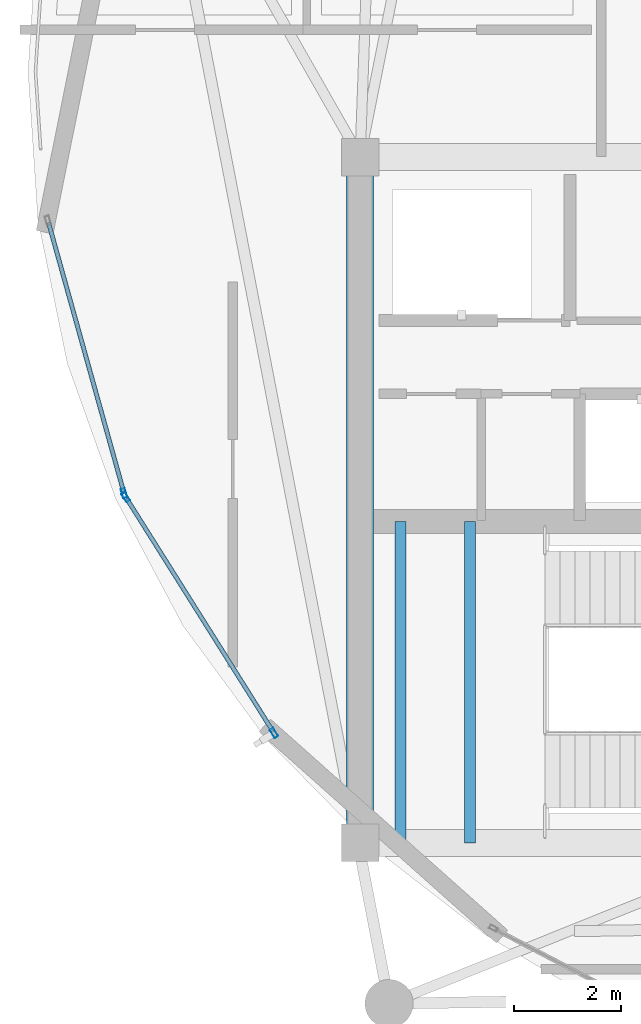
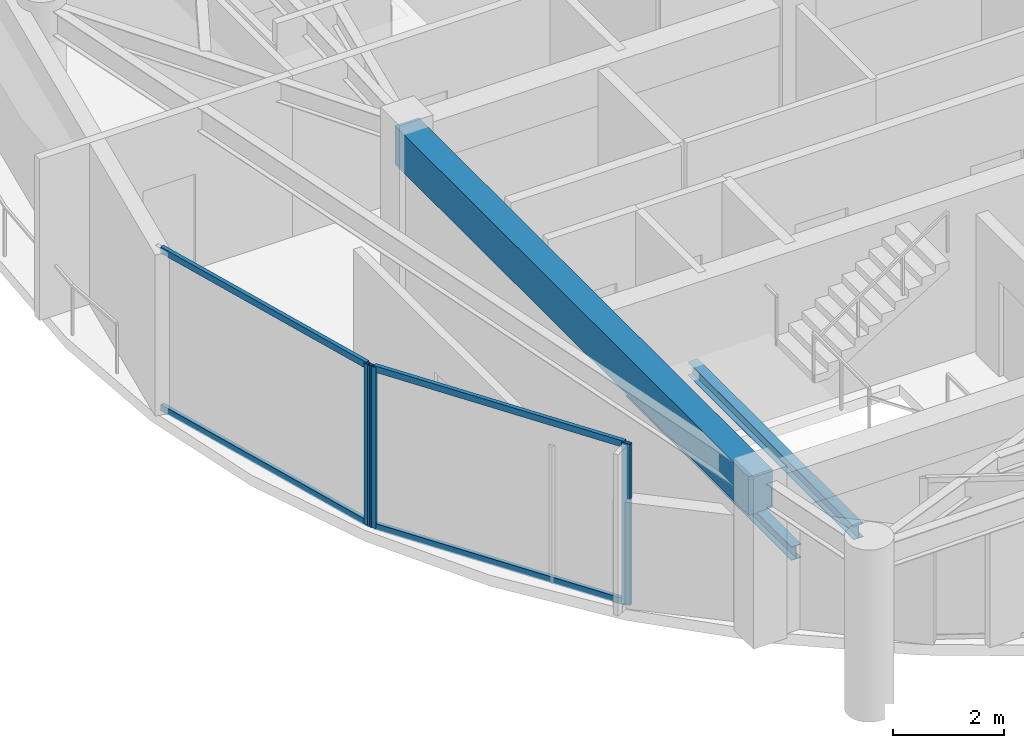
# One storey, part 3 of 29: 7 members, 3 beams, 2 elements without a shape of their own.
"""IFC4 building model written with IfcOpenShell, lengths in metres."""

import ifcopenshell
import ifcopenshell.guid

model = None  # the IFC model being written
_history = None  # IfcOwnerHistory: only IFC2X3 demands one
_inside = {}  # id of a spatial element -> (the spatial element, [elements in it])
_under = {}  # id of a project, library or spatial element -> (it, [spatial elements below it])
_declared = {}  # id of a project -> (the project, [libraries it declares])
_typed = {}  # id of a type object -> (the type object, [elements of that type])
_made_of = {}  # id of a material, layer set ... -> (it, [elements and type objects made of it])


def new_model(schema):
    """Start an empty IFC model of exactly this schema.

    Asked for "IFC4X3", IfcOpenShell would pick the latest addendum, in which some entities
    have other attributes; the version numbers below select the first issue.
    IFC2X3 requires an IfcOwnerHistory on every rooted entity: one is made here for all.
    """
    global model, _history
    if schema == "IFC4X3":
        model = ifcopenshell.file(schema_version=(4, 3, 0, 0))
    else:
        model = ifcopenshell.file(schema=schema)
    _inside.clear()
    _under.clear()
    _declared.clear()
    _typed.clear()
    _made_of.clear()
    _history = None
    if model.schema == "IFC2X3":
        org = make("IfcOrganization", Name="unknown")
        user = make(
            "IfcPersonAndOrganization",
            ThePerson=make("IfcPerson", FamilyName="unknown"),
            TheOrganization=org,
        )
        app = make(
            "IfcApplication",
            ApplicationDeveloper=org,
            Version="unknown",
            ApplicationFullName="unknown",
            ApplicationIdentifier="unknown",
        )
        _history = make(
            "IfcOwnerHistory",
            OwningUser=user,
            OwningApplication=app,
            ChangeAction="ADDED",
            CreationDate=0,
        )
    return model


def make(cls, **values):
    """One entity of the class cls with the attributes given. An attribute that is None is left unset."""
    return model.create_entity(
        cls, **{name: value for name, value in values.items() if value is not None}
    )


def rooted(cls, **values):
    """An entity with a GlobalId (a new one), such as an element, a storey or a relation."""
    return make(cls, GlobalId=ifcopenshell.guid.new(), OwnerHistory=_history, **values)


def si_unit(unit_type, name, prefix=None):
    """IfcSIUnit, for example si_unit("LENGTHUNIT", "METRE", prefix="MILLI")."""
    return make("IfcSIUnit", UnitType=unit_type, Prefix=prefix, Name=name)


def assignment(units):
    """IfcUnitAssignment: the units of a project."""
    return None if units is None else make("IfcUnitAssignment", Units=units)


def point(xyz):
    """IfcCartesianPoint."""
    return None if xyz is None else make("IfcCartesianPoint", Coordinates=xyz)


def direction(xyz):
    """IfcDirection."""
    return None if xyz is None else make("IfcDirection", DirectionRatios=xyz)


def frame(location, z_axis=None, x_axis=None):
    """IfcAxis2Placement3D, a coordinate frame: its origin and axes. An axis left out is left unset."""
    return make(
        "IfcAxis2Placement3D",
        Location=point(location),
        Axis=direction(z_axis),
        RefDirection=direction(x_axis),
    )


def frame_2d(location, x_axis=None):
    """IfcAxis2Placement2D, a coordinate frame in the plane: its origin and x axis."""
    return make(
        "IfcAxis2Placement2D", Location=point(location), RefDirection=direction(x_axis)
    )


def origin():
    """The frame at (0, 0, 0) with its axes left unset."""
    return frame((0.0, 0.0, 0.0))


def origin_2d():
    """The frame at (0, 0) in the plane with its x axis left unset."""
    return frame_2d((0.0, 0.0))


def place(relative_to, where):
    """IfcLocalPlacement: puts the frame where relative to a parent placement (None: the world)."""
    return make(
        "IfcLocalPlacement", PlacementRelTo=relative_to, RelativePlacement=where
    )


def context(
    kind, dimensions, precision=None, world=None, true_north=None, identifier=None
):
    """IfcGeometricRepresentationContext, for example the 3D "Model" context."""
    return make(
        "IfcGeometricRepresentationContext",
        ContextIdentifier=identifier,
        ContextType=kind,
        CoordinateSpaceDimension=dimensions,
        Precision=precision,
        WorldCoordinateSystem=world,
        TrueNorth=true_north,
    )


def subcontext(parent, identifier, kind, view, scale=None):
    """IfcGeometricRepresentationSubContext, for example "Body" below "Model"."""
    return make(
        "IfcGeometricRepresentationSubContext",
        ContextIdentifier=identifier,
        ContextType=kind,
        ParentContext=parent,
        TargetScale=scale,
        TargetView=view,
    )


def project(units=None, contexts=None):
    """IfcProject with its units and contexts."""
    return rooted(
        "IfcProject",
        Name="project",
        RepresentationContexts=contexts,
        UnitsInContext=assignment(units),
    )


def spatial(cls, under=None, at=None, **own):
    """A site, building, storey or space (cls), placed at a placement, below another one or the project."""
    s = rooted(cls, ObjectPlacement=at, **own)
    if under is not None:
        _under.setdefault(under.id(), (under, []))[1].append(s)
    return s


def profile(cls, at=None, kind="AREA", **sizes):
    """A parametric profile (cls). Its sizes go by their IFC names, for example OverallWidth=200.0."""
    return make(cls, ProfileType=kind, Position=at, **sizes)


def rectangle(**sizes):
    """IfcRectangleProfileDef."""
    return profile("IfcRectangleProfileDef", **sizes)


def hollow_rectangle(**sizes):
    """IfcRectangleHollowProfileDef."""
    return profile("IfcRectangleHollowProfileDef", **sizes)


def i_section(**sizes):
    """IfcIShapeProfileDef."""
    return profile("IfcIShapeProfileDef", **sizes)


def extrude(swept, where, along, depth):
    """IfcExtrudedAreaSolid: the profile swept, set in the frame where, extruded along a direction by depth."""
    return make(
        "IfcExtrudedAreaSolid",
        SweptArea=swept,
        Position=where,
        ExtrudedDirection=direction(along),
        Depth=depth,
    )


def shape(context_of_items, identifier, shape_type, items):
    """IfcShapeRepresentation: the items that make up one representation, for example the "Body"."""
    return make(
        "IfcShapeRepresentation",
        ContextOfItems=context_of_items,
        RepresentationIdentifier=identifier,
        RepresentationType=shape_type,
        Items=items,
    )


def material(Name=None, Category=None):
    """IfcMaterial."""
    return make("IfcMaterial", Name=Name, Category=Category)


def layer(
    of_material, thickness, ventilated=None, Name=None, Category=None, Priority=None
):
    """IfcMaterialLayer: one layer of a wall or slab, of a material (None: an air gap)."""
    return make(
        "IfcMaterialLayer",
        Material=of_material,
        LayerThickness=thickness,
        IsVentilated=ventilated,
        Name=Name,
        Category=Category,
        Priority=Priority,
    )


def layer_set(layers, Name=None):
    """IfcMaterialLayerSet."""
    return make("IfcMaterialLayerSet", MaterialLayers=layers, LayerSetName=Name)


def material_profile(
    of_material, cross_section, Name=None, Category=None, Priority=None
):
    """IfcMaterialProfile: a cross section and its material."""
    return make(
        "IfcMaterialProfile",
        Name=Name,
        Material=of_material,
        Profile=cross_section,
        Priority=Priority,
        Category=Category,
    )


def profile_set(profiles, Name=None, composite=None):
    """IfcMaterialProfileSet."""
    return make(
        "IfcMaterialProfileSet",
        Name=Name,
        MaterialProfiles=profiles,
        CompositeProfile=composite,
    )


def made_of(thing, what):
    """Note that an element or type object is made of a material, layer set ...; save() writes the relation."""
    if what is not None:
        _made_of.setdefault(what.id(), (what, []))[1].append(thing)
    return thing


def type_object(cls, material=None, **own):
    """A type object (cls), such as IfcWallType, which elements share."""
    return made_of(rooted(cls, **own), material)


def element(
    cls,
    number,
    at=None,
    inside=None,
    cuts=None,
    type_object=None,
    material=None,
    context=None,
    identifier="Body",
    shape_type=None,
    held_by="IfcProductDefinitionShape",
    body=None,
    shapes=None,
    **own,
):
    """One element of the class cls, such as IfcWall. Its Tag is "e" and its number.

    at: its placement. inside: the storey or other place that contains it. cuts: it is an
    opening in that element (IfcRelVoidsElement). A single representation is given by context,
    identifier, shape_type and body (its items); several are given by shapes. held_by: the class
    of the entity that holds the representations. save() writes the other relations.
    """
    e = rooted(cls, Tag="e%d" % number, ObjectPlacement=at, **own)
    if body is not None:
        shapes = [shape(context, identifier, shape_type, body)]
    if shapes is not None:
        e.Representation = make(held_by, Representations=shapes)
    if inside is not None:
        _inside.setdefault(inside.id(), (inside, []))[1].append(e)
    if cuts is not None:
        rooted(
            "IfcRelVoidsElement", RelatingBuildingElement=cuts, RelatedOpeningElement=e
        )
    if type_object is not None:
        _typed.setdefault(type_object.id(), (type_object, []))[1].append(e)
    return made_of(e, material)


def aggregate(whole, parts):
    """IfcRelAggregates: a whole, such as a stair, and the parts it consists of."""
    return rooted("IfcRelAggregates", RelatingObject=whole, RelatedObjects=parts)


def save(model, path):
    """Write the relations noted so far, then the file.

    IfcRelAggregates (storeys below a building ...), IfcRelContainedInSpatialStructure (elements
    in a storey), IfcRelDefinesByType, IfcRelAssociatesMaterial and IfcRelDeclares: one each for
    every whole, place, type object, material and project.
    """
    for whole, parts in _under.values():
        aggregate(whole, parts)
    for where, things in _inside.values():
        rooted(
            "IfcRelContainedInSpatialStructure",
            RelatedElements=things,
            RelatingStructure=where,
        )
    for kind, things in _typed.values():
        rooted("IfcRelDefinesByType", RelatedObjects=things, RelatingType=kind)
    for what, things in _made_of.values():
        rooted("IfcRelAssociatesMaterial", RelatedObjects=things, RelatingMaterial=what)
    for by, libraries in _declared.values():
        rooted("IfcRelDeclares", RelatingContext=by, RelatedDefinitions=libraries)
    model.write(path)


model = new_model("IFC4")

# Units and contexts
model_context = context("Model", 3, precision=1e-05, world=origin(), true_north=direction((0.0, 1.0)))
body_context = subcontext(model_context, "Body", "Model", "MODEL_VIEW")
ifc_project = project(units=[si_unit("LENGTHUNIT", "METRE"), si_unit("AREAUNIT", "SQUARE_METRE"), si_unit("VOLUMEUNIT", "CUBIC_METRE"), si_unit("PLANEANGLEUNIT", "RADIAN"), si_unit("MASSUNIT", "GRAM", prefix="KILO")], contexts=[model_context])

# Site, building, storey
site_placement = place(None, origin())
site = spatial("IfcSite", under=ifc_project, at=site_placement, CompositionType="ELEMENT")
building_placement = place(site_placement, origin())
building = spatial("IfcBuilding", under=site, at=building_placement, Name="Kazevale Care Tower and Concert Hall", CompositionType="ELEMENT")
storey_placement = place(building_placement, frame((0.0, 0.0, 285.199951171875)))
storey = spatial("IfcBuildingStorey", under=building, at=storey_placement, Name="L75", CompositionType="ELEMENT", Elevation=285.199951171875)

# Curtain wall, members
ifc_material_1 = material(Name="Aluminium 6063-T6 and Low-E Glass", Category="aluminium")
ifc_layer = layer(ifc_material_1, 0.179931640625)
ifc_layer_set = layer_set([ifc_layer], Name="Aluminium 6063-T6 and Low-E Glass")
curtain_wall_type = type_object("IfcCurtainWallType", Name="Waist & Upper Residential Curtain Wall CW-4", PredefinedType="NOTDEFINED", material=ifc_layer_set)
curtain_wall_1_placement = place(storey_placement, origin())
curtain_wall_1 = element("IfcCurtainWall", 1, at=curtain_wall_1_placement, inside=storey, type_object=curtain_wall_type, Name="cw:L75:f11", PredefinedType="NOTDEFINED")
ifc_material_2 = material(Name="Aluminium 6063-T6", Category="aluminium")
ifc_material_profile_1 = material_profile(ifc_material_2, hollow_rectangle(XDim=0.080078125, YDim=0.179931640625, WallThickness=0.0048828125, at=origin_2d()), Name="ALU80x180x5")
ifc_profile_set_1 = profile_set([ifc_material_profile_1], Name="Aluminium 6063-T6")
member_type_1 = type_object("IfcMemberType", Name="CW-4 Mullion ALU80x180x5", PredefinedType="MULLION", material=ifc_profile_set_1)
member_1_placement = place(storey_placement, frame((20.3916015625, 25.65087890625, 0.0), z_axis=(0.0, 0.0, 1.0), x_axis=(-0.846697503152, -0.532074560711, 0.0)))
member_1 = element("IfcMember", 2, at=member_1_placement, type_object=member_type_1, Name="CW-4 mullion 1", PredefinedType="MULLION", context=body_context, shape_type="SweptSolid", body=[
    extrude(hollow_rectangle(XDim=0.080078125, YDim=0.179931640625, WallThickness=0.0048828125, at=origin_2d()), origin(), (0.0, 0.0, 1.0), 3.56005859375),
])
member_2_placement = place(storey_placement, frame((17.625244140625, 30.05322265625, 0.0), z_axis=(0.0, 0.0, 1.0), x_axis=(-0.846697503152, -0.532074560711, 0.0)))
member_2 = element("IfcMember", 3, at=member_2_placement, type_object=member_type_1, Name="CW-4 mullion 2", PredefinedType="MULLION", context=body_context, shape_type="SweptSolid", body=[
    extrude(hollow_rectangle(XDim=0.080078125, YDim=0.179931640625, WallThickness=0.0048828125, at=origin_2d()), origin(), (0.0, 0.0, 1.0), 3.56005859375),
])

# Curtain wall, member
curtain_wall_2_placement = place(storey_placement, origin())
curtain_wall_2 = element("IfcCurtainWall", 4, at=curtain_wall_2_placement, inside=storey, type_object=curtain_wall_type, Name="cw:L75:f12", PredefinedType="NOTDEFINED")
member_3_placement = place(storey_placement, frame((17.59326171875, 30.12548828125, 0.0), z_axis=(0.0, 0.0, 1.0), x_axis=(-0.963194056491, -0.268807011704, 0.0)))
member_3 = element("IfcMember", 5, at=member_3_placement, type_object=member_type_1, Name="CW-4 mullion 1", PredefinedType="MULLION", context=body_context, shape_type="SweptSolid", body=[
    extrude(hollow_rectangle(XDim=0.080078125, YDim=0.179931640625, WallThickness=0.0048828125, at=origin_2d()), origin(), (0.0, 0.0, 1.0), 3.56005859375),
])

# Member
ifc_material_profile_2 = material_profile(ifc_material_2, hollow_rectangle(XDim=0.080078125, YDim=0.139892578125, WallThickness=0.00390625, at=origin_2d()), Name="ALU80x140x4")
ifc_profile_set_2 = profile_set([ifc_material_profile_2], Name="Aluminium 6063-T6")
member_type_2 = type_object("IfcMemberType", Name="CW-4 Transom ALU80x140x4", PredefinedType="USERDEFINED", material=ifc_profile_set_2)
member_4_placement = place(storey_placement, frame((20.370361328125, 25.684814453125, 0.0400390625), z_axis=(-0.532080710127, 0.846693638756, 0.0), x_axis=(-0.846693638756, -0.532080710127, 0.0)))
member_4 = element("IfcMember", 6, at=member_4_placement, type_object=member_type_2, Name="CW-4 transom 1.1", ObjectType="TRANSOM", PredefinedType="USERDEFINED", context=body_context, shape_type="SweptSolid", body=[
    extrude(hollow_rectangle(XDim=0.080078125, YDim=0.139892578125, WallThickness=0.00390625, at=origin_2d()), origin(), (0.0, 0.0, 1.0), 5.119384765625),
])

member_5_placement = place(storey_placement, frame((20.370361328125, 25.684814453125, 3.52001953125), z_axis=(-0.532080710127, 0.846693638756, 0.0), x_axis=(-0.846693638756, -0.532080710127, 0.0)))
member_5 = element("IfcMember", 7, at=member_5_placement, type_object=member_type_2, Name="CW-4 transom 1.2", ObjectType="TRANSOM", PredefinedType="USERDEFINED", context=body_context, shape_type="SweptSolid", body=[
    extrude(hollow_rectangle(XDim=0.080078125, YDim=0.139892578125, WallThickness=0.00390625, at=origin_2d()), origin(), (0.0, 0.0, 1.0), 5.119384765625),
])

aggregate(curtain_wall_1, [member_1, member_2, member_4, member_5])

member_6_placement = place(storey_placement, frame((17.58251953125, 30.1640625, 0.0400390625), z_axis=(-0.268792895196, 0.963197995997, 0.0), x_axis=(-0.963197995997, -0.268792895196, 0.0)))
member_6 = element("IfcMember", 8, at=member_6_placement, type_object=member_type_2, Name="CW-4 transom 1.1", ObjectType="TRANSOM", PredefinedType="USERDEFINED", context=body_context, shape_type="SweptSolid", body=[
    extrude(hollow_rectangle(XDim=0.080078125, YDim=0.139892578125, WallThickness=0.00390625, at=origin_2d()), origin(), (0.0, 0.0, 1.0), 5.20458984375),
])

member_7_placement = place(storey_placement, frame((17.58251953125, 30.1640625, 3.52001953125), z_axis=(-0.268792895196, 0.963197995997, 0.0), x_axis=(-0.963197995997, -0.268792895196, 0.0)))
member_7 = element("IfcMember", 9, at=member_7_placement, type_object=member_type_2, Name="CW-4 transom 1.2", ObjectType="TRANSOM", PredefinedType="USERDEFINED", context=body_context, shape_type="SweptSolid", body=[
    extrude(hollow_rectangle(XDim=0.080078125, YDim=0.139892578125, WallThickness=0.00390625, at=origin_2d()), origin(), (0.0, 0.0, 1.0), 5.20458984375),
])

aggregate(curtain_wall_2, [member_3, member_6, member_7])

# Beams
ifc_material_3 = material(Name="Concrete C60", Category="concrete")
ifc_material_profile_3 = material_profile(ifc_material_3, rectangle(XDim=0.5, YDim=0.85009765625, at=origin_2d()), Name="RC-B500x850")
ifc_profile_set_3 = profile_set([ifc_material_profile_3], Name="Concrete C60")
beam_type_1 = type_object("IfcBeamType", Name="Core Coupling Beam RC500x850", PredefinedType="LINTEL", material=ifc_profile_set_3)
beam_placement = place(storey_placement, frame((22.0, 36.39990234375, 3.135009765625), z_axis=(0.0, -1.0, 0.0), x_axis=(1.0, 0.0, 0.0)))
element("IfcBeam", 10, at=beam_placement, inside=storey, type_object=beam_type_1, Name="beam:L75:coretie:8", PredefinedType="LINTEL", context=body_context, shape_type="SweptSolid", body=[
    extrude(rectangle(XDim=0.5, YDim=0.85009765625, at=origin_2d()), origin(), (0.0, 0.0, 1.0), 12.7998046875),
])
ifc_material_4 = material(Name="Steel ASTM A572 Gr 50", Category="steel")
ifc_material_profile_4 = material_profile(ifc_material_4, i_section(OverallWidth=0.202880859375, OverallDepth=0.302978515625, WebThickness=0.007568359375, FlangeThickness=0.01318359375, at=origin_2d()), Name="W310x60")
ifc_profile_set_4 = profile_set([ifc_material_profile_4], Name="Steel ASTM A572 Gr 50")
beam_type_2 = type_object("IfcBeamType", Name="Stair & Balcony Trimmer W310x60", PredefinedType="BEAM", material=ifc_profile_set_4)
for number, where, z_axis, x_axis, name in (
    (11, (22.75, 23.60009765625, 1.548583984375), (0.0, 1.0, 0.0), (-1.0, 0.0, 0.0), "beam:L75:sttrim:ST1"),
    (12, (24.050048828125, 23.60009765625, 1.548583984375), (0.0, 1.0, 0.0), (-1.0, 0.0, 0.0), "beam:L75:sttrim:ST1b"),
):
    element("IfcBeam", number, at=place(storey_placement, frame(where, z_axis=z_axis, x_axis=x_axis)), inside=storey, type_object=beam_type_2, Name=name, PredefinedType="BEAM", context=body_context, shape_type="SweptSolid", body=[
        extrude(i_section(OverallWidth=0.202880859375, OverallDepth=0.302978515625, WebThickness=0.007568359375, FlangeThickness=0.01318359375, at=origin_2d()), origin(), (0.0, 0.0, 1.0), 6.0),
    ])

save(model, "model.ifc")
